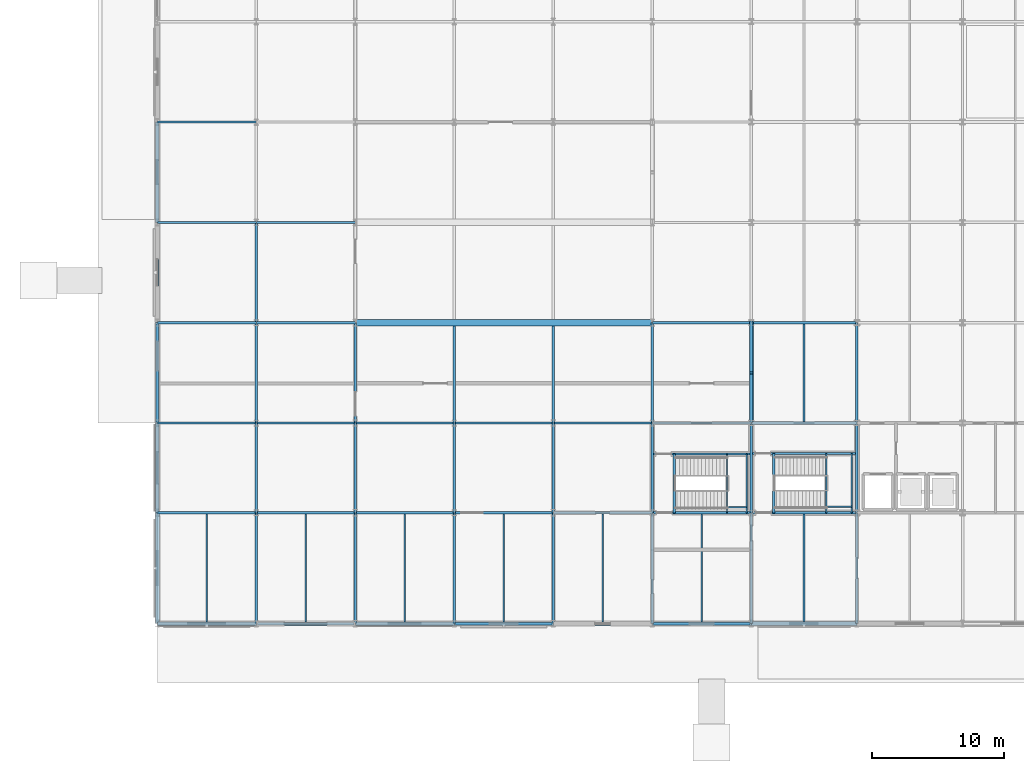
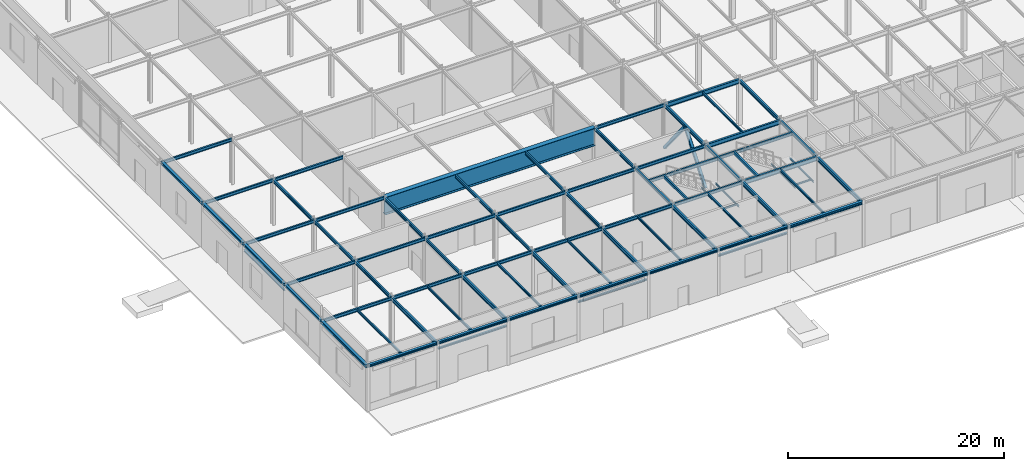
# One storey, part 21 of 89: 78 beams, 2 members.
"""IFC4 building model written with IfcOpenShell, lengths in metres."""

from ifc_helpers import new_model, si_unit, direction, frame, origin, origin_2d, place, context, subcontext, project, spatial, hollow_rectangle, i_section, extrude, material, material_profile, profile_set, type_object, element, save


model = new_model("IFC4")

# Units and contexts
model_context = context("Model", 3, precision=1e-05, world=origin(), true_north=direction((0.0, 1.0)))
body_context = subcontext(model_context, "Body", "Model", "MODEL_VIEW")
ifc_project = project(units=[si_unit("LENGTHUNIT", "METRE"), si_unit("AREAUNIT", "SQUARE_METRE"), si_unit("VOLUMEUNIT", "CUBIC_METRE"), si_unit("PLANEANGLEUNIT", "RADIAN"), si_unit("MASSUNIT", "GRAM", prefix="KILO")], contexts=[model_context])

# Site, building, storey
site_placement = place(None, origin())
site = spatial("IfcSite", under=ifc_project, at=site_placement, CompositionType="ELEMENT")
building_placement = place(site_placement, origin())
building = spatial("IfcBuilding", under=site, at=building_placement, Name="Shalkamar Park Central Library", CompositionType="ELEMENT")
storey_placement = place(building_placement, origin())
storey = spatial("IfcBuildingStorey", under=building, at=storey_placement, Name="L01", CompositionType="ELEMENT", Elevation=0.0)

# Beams
ifc_material = material(Name="Steel S355", Category="steel")
ifc_material_profile_1 = material_profile(ifc_material, i_section(OverallWidth=0.10009765625, OverallDepth=0.199951171875, WebThickness=0.005615234375, FlangeThickness=0.008544921875, FilletRadius=0.011962890625, at=origin_2d()), Name="IPE 200")
ifc_profile_set_1 = profile_set([ifc_material_profile_1], Name="Steel S355")
beam_type_1 = type_object("IfcBeamType", Name="Composite Floor Joist IPE200", PredefinedType="JOIST", material=ifc_profile_set_1)
for number, where, z_axis, x_axis, name in (
    (1, (170.679931640625, 248.39990234375, 2.320068359375), (0.0, 1.0, 0.0), (-1.0, 0.0, 0.0), "Stair Half-Landing Beam ST-T1-L01-1"),
    (2, (172.6201171875, 248.39990234375, 2.320068359375), (0.0, 1.0, 0.0), (-1.0, 0.0, 0.0), "Stair Half-Landing Beam ST-T1-L01-2"),
):
    element("IfcBeam", number, at=place(storey_placement, frame(where, z_axis=z_axis, x_axis=x_axis)), inside=storey, type_object=beam_type_1, Name=name, PredefinedType="JOIST", context=body_context, shape_type="SweptSolid", body=[
        extrude(i_section(OverallWidth=0.10009765625, OverallDepth=0.199951171875, WebThickness=0.005615234375, FlangeThickness=0.008544921875, FilletRadius=0.011962890625, at=origin_2d()), origin(), (0.0, 0.0, 1.0), 4.5),
    ])
beam_1_placement = place(storey_placement, frame((170.679931640625, 248.85009765625, 2.320068359375), z_axis=(1.0, 0.0, 0.0), x_axis=(0.0, 1.0, 0.0)))
element("IfcBeam", 3, at=beam_1_placement, inside=storey, type_object=beam_type_1, Name="Stair Half-Landing Cross Tie ST-T1-L01-3", PredefinedType="JOIST", context=body_context, shape_type="SweptSolid", body=[
    extrude(i_section(OverallWidth=0.10009765625, OverallDepth=0.199951171875, WebThickness=0.005615234375, FlangeThickness=0.008544921875, FilletRadius=0.011962890625, at=origin_2d()), origin(), (0.0, 0.0, 1.0), 1.940185546875),
])
for number, where, z_axis, x_axis, name in (
    (4, (163.155029296875, 248.39990234375, 2.320068359375), (0.0, 1.0, 0.0), (-1.0, 0.0, 0.0), "Stair Half-Landing Beam ST-P1-L01-1"),
    (5, (164.64501953125, 248.39990234375, 2.320068359375), (0.0, 1.0, 0.0), (-1.0, 0.0, 0.0), "Stair Half-Landing Beam ST-P1-L01-2"),
):
    element("IfcBeam", number, at=place(storey_placement, frame(where, z_axis=z_axis, x_axis=x_axis)), inside=storey, type_object=beam_type_1, Name=name, PredefinedType="JOIST", context=body_context, shape_type="SweptSolid", body=[
        extrude(i_section(OverallWidth=0.10009765625, OverallDepth=0.199951171875, WebThickness=0.005615234375, FlangeThickness=0.008544921875, FilletRadius=0.011962890625, at=origin_2d()), origin(), (0.0, 0.0, 1.0), 4.4501953125),
    ])
beam_2_placement = place(storey_placement, frame((163.155029296875, 248.824951171875, 2.320068359375), z_axis=(1.0, 0.0, 0.0), x_axis=(0.0, 1.0, 0.0)))
element("IfcBeam", 6, at=beam_2_placement, inside=storey, type_object=beam_type_1, Name="Stair Half-Landing Cross Tie ST-P1-L01-3", PredefinedType="JOIST", context=body_context, shape_type="SweptSolid", body=[
    extrude(i_section(OverallWidth=0.10009765625, OverallDepth=0.199951171875, WebThickness=0.005615234375, FlangeThickness=0.008544921875, FilletRadius=0.011962890625, at=origin_2d()), origin(), (0.0, 0.0, 1.0), 1.489990234375),
])
ifc_material_profile_2 = material_profile(ifc_material, i_section(OverallWidth=0.135009765625, OverallDepth=0.27001953125, WebThickness=0.006591796875, FlangeThickness=0.01025390625, FilletRadius=0.014892578125, at=origin_2d()), Name="IPE 270")
ifc_profile_set_2 = profile_set([ifc_material_profile_2], Name="Steel S355")
beam_type_2 = type_object("IfcBeamType", Name="Composite Floor Joist IPE270", PredefinedType="JOIST", material=ifc_profile_set_2)
for number, where, z_axis, x_axis, name in (
    (7, (123.75, 240.137939453125, 5.014892578125), (0.0, 1.0, 0.0), (-1.0, 0.0, 0.0), "Composite Joist 01/A-1 (L01)"),
    (8, (131.25, 240.137939453125, 5.014892578125), (0.0, 1.0, 0.0), (-1.0, 0.0, 0.0), "Composite Joist 02/A-1 (L01)"),
    (9, (138.75, 240.137939453125, 5.0048828125), (0.0, 1.0, 0.0), (-1.0, 0.0, 0.0), "Composite Joist 03/A-1 (L01)"),
    (10, (146.25, 240.137939453125, 5.0048828125), (0.0, 1.0, 0.0), (-1.0, 0.0, 0.0), "Composite Joist 04/A-1 (L01)"),
    (11, (153.75, 240.137939453125, 5.0048828125), (0.0, 1.0, 0.0), (-1.0, 0.0, 0.0), "Composite Joist 05/A-1 (L01)"),
    (12, (161.25, 240.137939453125, 5.0048828125), (0.0, 1.0, 0.0), (-1.0, 0.0, 0.0), "Composite Joist 06/A-1 (L01)"),
):
    element("IfcBeam", number, at=place(storey_placement, frame(where, z_axis=z_axis, x_axis=x_axis)), inside=storey, type_object=beam_type_2, Name=name, PredefinedType="JOIST", context=body_context, shape_type="SweptSolid", body=[
        extrude(i_section(OverallWidth=0.135009765625, OverallDepth=0.27001953125, WebThickness=0.006591796875, FlangeThickness=0.01025390625, FilletRadius=0.014892578125, at=origin_2d()), origin(), (0.0, 0.0, 1.0), 8.178955078125),
    ])
beam_3_placement = place(storey_placement, frame((169.0, 240.14794921875, 5.0048828125), z_axis=(0.0, 1.0, 0.0), x_axis=(-1.0, 0.0, 0.0)))
element("IfcBeam", 13, at=beam_3_placement, inside=storey, type_object=beam_type_2, Name="Composite Joist 07/A-1 (L01)", PredefinedType="JOIST", context=body_context, shape_type="SweptSolid", body=[
    extrude(i_section(OverallWidth=0.135009765625, OverallDepth=0.27001953125, WebThickness=0.006591796875, FlangeThickness=0.01025390625, FilletRadius=0.014892578125, at=origin_2d()), origin(), (0.0, 0.0, 1.0), 8.154052734375),
])
beam_4_placement = place(storey_placement, frame((169.0, 255.298095703125, 5.0048828125), z_axis=(0.0, 1.0, 0.0), x_axis=(-1.0, 0.0, 0.0)))
element("IfcBeam", 14, at=beam_4_placement, inside=storey, type_object=beam_type_2, Name="Composite Joist 07/C-1 (L01)", PredefinedType="JOIST", context=body_context, shape_type="SweptSolid", body=[
    extrude(i_section(OverallWidth=0.135009765625, OverallDepth=0.27001953125, WebThickness=0.006591796875, FlangeThickness=0.01025390625, FilletRadius=0.014892578125, at=origin_2d()), origin(), (0.0, 0.0, 1.0), 7.40380859375),
])

# Members
ifc_material_profile_3 = material_profile(ifc_material, hollow_rectangle(XDim=0.300048828125, YDim=0.300048828125, WallThickness=0.01611328125, InnerFilletRadius=0.01611328125, OuterFilletRadius=0.02392578125, at=origin_2d()), Name="SHS 300x300x16")
ifc_profile_set_3 = profile_set([ifc_material_profile_3], Name="Steel S355")
member_type = type_object("IfcMemberType", Name="Diagonal Brace SHS300", PredefinedType="BRACE", material=ifc_profile_set_3)
for number, where, z_axis, x_axis, name in (
    (15, (165.0, 255.199951171875, 0.14990234375), (0.0, 0.62952162091, 0.776982965583), (-1.0, 0.0, 0.0), "Chevron Brace TW-W Leg A (L01)"),
    (16, (165.0, 262.800048828125, 0.14990234375), (0.0, -0.62952162091, 0.776982965583), (1.0, 0.0, 0.0), "Chevron Brace TW-W Leg B (L01)"),
):
    element("IfcMember", number, at=place(storey_placement, frame(where, z_axis=z_axis, x_axis=x_axis)), inside=storey, type_object=member_type, Name=name, PredefinedType="BRACE", context=body_context, shape_type="SweptSolid", body=[
        extrude(hollow_rectangle(XDim=0.300048828125, YDim=0.300048828125, WallThickness=0.01611328125, InnerFilletRadius=0.01611328125, OuterFilletRadius=0.02392578125, at=origin_2d()), origin(), (0.0, 0.0, 1.0), 6.036376953125),
    ])

# Beams
ifc_material_profile_4 = material_profile(ifc_material, i_section(OverallWidth=0.179931640625, OverallDepth=0.1708984375, WebThickness=0.006103515625, FlangeThickness=0.009521484375, FilletRadius=0.014892578125, at=origin_2d()), Name="HEA 180")
ifc_profile_set_4 = profile_set([ifc_material_profile_4], Name="Steel S355")
beam_type_3 = type_object("IfcBeamType", Name="Opening Lintel Beam HEA180", PredefinedType="LINTEL", material=ifc_profile_set_4)
beam_5_placement = place(storey_placement, frame((142.580078125, 240.0, 4.35009765625), z_axis=(1.0, 0.0, 0.0), x_axis=(0.0, 1.0, 0.0)))
element("IfcBeam", 17, at=beam_5_placement, inside=storey, type_object=beam_type_3, Name="Opening Lintel L01-02", PredefinedType="LINTEL", context=body_context, shape_type="SweptSolid", body=[
    extrude(i_section(OverallWidth=0.179931640625, OverallDepth=0.1708984375, WebThickness=0.006103515625, FlangeThickness=0.009521484375, FilletRadius=0.014892578125, at=origin_2d()), origin(), (0.0, 0.0, 1.0), 7.33984375),
])
beam_6_placement = place(storey_placement, frame((120.0, 255.280029296875, 4.35009765625), z_axis=(0.0, 1.0, 0.0), x_axis=(-1.0, 0.0, 0.0)))
element("IfcBeam", 18, at=beam_6_placement, inside=storey, type_object=beam_type_3, Name="Opening Lintel L01-18", PredefinedType="LINTEL", context=body_context, shape_type="SweptSolid", body=[
    extrude(i_section(OverallWidth=0.179931640625, OverallDepth=0.1708984375, WebThickness=0.006103515625, FlangeThickness=0.009521484375, FilletRadius=0.014892578125, at=origin_2d()), origin(), (0.0, 0.0, 1.0), 7.43994140625),
])
ifc_material_profile_5 = material_profile(ifc_material, i_section(OverallWidth=0.199951171875, OverallDepth=0.18994140625, WebThickness=0.006591796875, FlangeThickness=0.010009765625, FilletRadius=0.01806640625, at=origin_2d()), Name="HEA 200")
ifc_profile_set_5 = profile_set([ifc_material_profile_5], Name="Steel S355")
beam_type_4 = type_object("IfcBeamType", Name="Opening Lintel Beam HEA200", PredefinedType="LINTEL", material=ifc_profile_set_5)
for number, where, z_axis, x_axis, name in (
    (19, (127.580078125, 240.0, 4.35009765625), (1.0, 0.0, 0.0), (0.0, 1.0, 0.0), "Opening Lintel L01-01"),
    (20, (157.580078125, 240.0, 4.35009765625), (1.0, 0.0, 0.0), (0.0, 1.0, 0.0), "Opening Lintel L01-03"),
):
    element("IfcBeam", number, at=place(storey_placement, frame(where, z_axis=z_axis, x_axis=x_axis)), inside=storey, type_object=beam_type_4, Name=name, PredefinedType="LINTEL", context=body_context, shape_type="SweptSolid", body=[
        extrude(i_section(OverallWidth=0.199951171875, OverallDepth=0.18994140625, WebThickness=0.006591796875, FlangeThickness=0.010009765625, FilletRadius=0.01806640625, at=origin_2d()), origin(), (0.0, 0.0, 1.0), 7.33984375),
    ])
ifc_material_profile_6 = material_profile(ifc_material, i_section(OverallWidth=0.239990234375, OverallDepth=0.22998046875, WebThickness=0.007568359375, FlangeThickness=0.011962890625, FilletRadius=0.02099609375, at=origin_2d()), Name="HEA 240")
ifc_profile_set_6 = profile_set([ifc_material_profile_6], Name="Steel S355")
beam_type_5 = type_object("IfcBeamType", Name="Perimeter Spandrel Beam HEA240", PredefinedType="SPANDREL", material=ifc_profile_set_6)
beam_7_placement = place(storey_placement, frame((120.0, 248.39990234375, 5.034912109375), z_axis=(0.0, 1.0, 0.0), x_axis=(-1.0, 0.0, 0.0)))
element("IfcBeam", 21, at=beam_7_placement, inside=storey, type_object=beam_type_5, Name="Beam 01:B-C (L01)", PredefinedType="SPANDREL", context=body_context, shape_type="SweptSolid", body=[
    extrude(i_section(OverallWidth=0.239990234375, OverallDepth=0.22998046875, WebThickness=0.007568359375, FlangeThickness=0.011962890625, FilletRadius=0.02099609375, at=origin_2d()), origin(), (0.0, 0.0, 1.0), 6.800048828125),
])
ifc_material_profile_7 = material_profile(ifc_material, i_section(OverallWidth=0.280029296875, OverallDepth=0.27001953125, WebThickness=0.008056640625, FlangeThickness=0.012939453125, FilletRadius=0.02392578125, at=origin_2d()), Name="HEA 280")
ifc_profile_set_7 = profile_set([ifc_material_profile_7], Name="Steel S355")
beam_type_6 = type_object("IfcBeamType", Name="Perimeter Spandrel Beam HEA280", PredefinedType="SPANDREL", material=ifc_profile_set_7)
for number, where, z_axis, x_axis, name in (
    (22, (120.0, 240.0, 5.014892578125), (1.0, 0.0, 0.0), (0.0, 1.0, 0.0), "Beam A:01-02 (L01)"),
    (23, (127.5, 240.0, 5.014892578125), (1.0, 0.0, 0.0), (0.0, 1.0, 0.0), "Beam A:02-03 (L01)"),
    (24, (135.0, 240.0, 5.014892578125), (1.0, 0.0, 0.0), (0.0, 1.0, 0.0), "Beam A:03-04 (L01)"),
    (25, (142.5, 240.0, 5.014892578125), (1.0, 0.0, 0.0), (0.0, 1.0, 0.0), "Beam A:04-05 (L01)"),
    (26, (150.0, 240.0, 5.014892578125), (1.0, 0.0, 0.0), (0.0, 1.0, 0.0), "Beam A:05-06 (L01)"),
    (27, (157.5, 240.0, 5.014892578125), (1.0, 0.0, 0.0), (0.0, 1.0, 0.0), "Beam A:06-07 (L01)"),
):
    element("IfcBeam", number, at=place(storey_placement, frame(where, z_axis=z_axis, x_axis=x_axis)), inside=storey, type_object=beam_type_6, Name=name, PredefinedType="SPANDREL", context=body_context, shape_type="SweptSolid", body=[
        extrude(i_section(OverallWidth=0.280029296875, OverallDepth=0.27001953125, WebThickness=0.008056640625, FlangeThickness=0.012939453125, FilletRadius=0.02392578125, at=origin_2d()), origin(), (0.0, 0.0, 1.0), 7.5),
    ])
beam_8_placement = place(storey_placement, frame((120.0, 255.199951171875, 5.014892578125), z_axis=(0.0, 1.0, 0.0), x_axis=(-1.0, 0.0, 0.0)))
element("IfcBeam", 28, at=beam_8_placement, inside=storey, type_object=beam_type_6, Name="Beam 01:C-D (L01)", PredefinedType="SPANDREL", context=body_context, shape_type="SweptSolid", body=[
    extrude(i_section(OverallWidth=0.280029296875, OverallDepth=0.27001953125, WebThickness=0.008056640625, FlangeThickness=0.012939453125, FilletRadius=0.02392578125, at=origin_2d()), origin(), (0.0, 0.0, 1.0), 7.60009765625),
])
beam_9_placement = place(storey_placement, frame((120.0, 262.800048828125, 5.014892578125), z_axis=(0.0, 1.0, 0.0), x_axis=(-1.0, 0.0, 0.0)))
element("IfcBeam", 29, at=beam_9_placement, inside=storey, type_object=beam_type_6, Name="Beam 01:D-E (L01)", PredefinedType="SPANDREL", context=body_context, shape_type="SweptSolid", body=[
    extrude(i_section(OverallWidth=0.280029296875, OverallDepth=0.27001953125, WebThickness=0.008056640625, FlangeThickness=0.012939453125, FilletRadius=0.02392578125, at=origin_2d()), origin(), (0.0, 0.0, 1.0), 7.599853515625),
])
beam_10_placement = place(storey_placement, frame((120.0, 270.39990234375, 5.014892578125), z_axis=(0.0, 1.0, 0.0), x_axis=(-1.0, 0.0, 0.0)))
element("IfcBeam", 30, at=beam_10_placement, inside=storey, type_object=beam_type_6, Name="Beam 01:E-F (L01)", PredefinedType="SPANDREL", context=body_context, shape_type="SweptSolid", body=[
    extrude(i_section(OverallWidth=0.280029296875, OverallDepth=0.27001953125, WebThickness=0.008056640625, FlangeThickness=0.012939453125, FilletRadius=0.02392578125, at=origin_2d()), origin(), (0.0, 0.0, 1.0), 7.60009765625),
])
ifc_material_profile_8 = material_profile(ifc_material, i_section(OverallWidth=0.300048828125, OverallDepth=0.31005859375, WebThickness=0.009033203125, FlangeThickness=0.015380859375, FilletRadius=0.027099609375, at=origin_2d()), Name="HEA 320")
ifc_profile_set_8 = profile_set([ifc_material_profile_8], Name="Steel S355")
beam_type_7 = type_object("IfcBeamType", Name="Perimeter Spandrel Beam HEA320", PredefinedType="SPANDREL", material=ifc_profile_set_8)
beam_11_placement = place(storey_placement, frame((165.0, 240.0, 4.9951171875), z_axis=(1.0, 0.0, 0.0), x_axis=(0.0, 1.0, 0.0)))
element("IfcBeam", 31, at=beam_11_placement, inside=storey, type_object=beam_type_7, Name="Beam A:07-08 (L01)", PredefinedType="SPANDREL", context=body_context, shape_type="SweptSolid", body=[
    extrude(i_section(OverallWidth=0.300048828125, OverallDepth=0.31005859375, WebThickness=0.009033203125, FlangeThickness=0.015380859375, FilletRadius=0.027099609375, at=origin_2d()), origin(), (0.0, 0.0, 1.0), 8.0),
])
beam_12_placement = place(storey_placement, frame((120.0, 240.0, 4.9951171875), z_axis=(0.0, 1.0, 0.0), x_axis=(-1.0, 0.0, 0.0)))
element("IfcBeam", 32, at=beam_12_placement, inside=storey, type_object=beam_type_7, Name="Beam 01:A-B (L01)", PredefinedType="SPANDREL", context=body_context, shape_type="SweptSolid", body=[
    extrude(i_section(OverallWidth=0.300048828125, OverallDepth=0.31005859375, WebThickness=0.009033203125, FlangeThickness=0.015380859375, FilletRadius=0.027099609375, at=origin_2d()), origin(), (0.0, 0.0, 1.0), 8.39990234375),
])
ifc_material_profile_9 = material_profile(ifc_material, i_section(OverallWidth=0.169921875, OverallDepth=0.360107421875, WebThickness=0.008056640625, FlangeThickness=0.0126953125, FilletRadius=0.01806640625, at=origin_2d()), Name="IPE 360")
ifc_profile_set_9 = profile_set([ifc_material_profile_9], Name="Steel S355")
beam_type_8 = type_object("IfcBeamType", Name="Primary Girder IPE360", PredefinedType="BEAM", material=ifc_profile_set_9)
for number, where, z_axis, x_axis, name in (
    (33, (120.0, 248.39990234375, 4.969970703125), (1.0, 0.0, 0.0), (0.0, 1.0, 0.0), "Beam B:01-02 (L01)"),
    (34, (127.5, 248.39990234375, 4.9599609375), (1.0, 0.0, 0.0), (0.0, 1.0, 0.0), "Beam B:02-03 (L01)"),
    (35, (135.0, 248.39990234375, 4.9599609375), (1.0, 0.0, 0.0), (0.0, 1.0, 0.0), "Beam B:03-04 (L01)"),
    (36, (142.5, 248.39990234375, 4.9599609375), (1.0, 0.0, 0.0), (0.0, 1.0, 0.0), "Beam B:04-05 (L01)"),
    (37, (150.0, 248.39990234375, 4.9599609375), (1.0, 0.0, 0.0), (0.0, 1.0, 0.0), "Beam B:05-06 (L01)"),
    (38, (157.5, 248.39990234375, 4.9599609375), (1.0, 0.0, 0.0), (0.0, 1.0, 0.0), "Beam B:06-07 (L01)"),
    (39, (120.0, 255.199951171875, 4.969970703125), (1.0, 0.0, 0.0), (0.0, 1.0, 0.0), "Beam C:01-02 (L01)"),
    (40, (127.5, 255.199951171875, 4.9599609375), (1.0, 0.0, 0.0), (0.0, 1.0, 0.0), "Beam C:02-03 (L01)"),
    (41, (135.0, 255.199951171875, 4.9599609375), (1.0, 0.0, 0.0), (0.0, 1.0, 0.0), "Beam C:03-04 (L01)"),
    (42, (142.5, 255.199951171875, 4.9599609375), (1.0, 0.0, 0.0), (0.0, 1.0, 0.0), "Beam C:04-05 (L01)"),
    (43, (150.0, 255.199951171875, 4.9599609375), (1.0, 0.0, 0.0), (0.0, 1.0, 0.0), "Beam C:05-06 (L01)"),
    (44, (157.5, 255.199951171875, 4.9599609375), (1.0, 0.0, 0.0), (0.0, 1.0, 0.0), "Beam C:06-07 (L01)"),
    (45, (120.0, 262.800048828125, 4.969970703125), (1.0, 0.0, 0.0), (0.0, 1.0, 0.0), "Beam D:01-02 (L01)"),
    (46, (127.5, 262.800048828125, 4.9599609375), (1.0, 0.0, 0.0), (0.0, 1.0, 0.0), "Beam D:02-03 (L01)"),
    (47, (157.5, 262.800048828125, 4.9599609375), (1.0, 0.0, 0.0), (0.0, 1.0, 0.0), "Beam D:06-07 (L01)"),
    (48, (120.0, 270.39990234375, 4.969970703125), (1.0, 0.0, 0.0), (0.0, 1.0, 0.0), "Beam E:01-02 (L01)"),
    (49, (127.5, 270.39990234375, 4.9599609375), (1.0, 0.0, 0.0), (0.0, 1.0, 0.0), "Beam E:02-03 (L01)"),
    (50, (120.0, 278.0, 4.969970703125), (1.0, 0.0, 0.0), (0.0, 1.0, 0.0), "Beam F:01-02 (L01)"),
):
    element("IfcBeam", number, at=place(storey_placement, frame(where, z_axis=z_axis, x_axis=x_axis)), inside=storey, type_object=beam_type_8, Name=name, PredefinedType="BEAM", context=body_context, shape_type="SweptSolid", body=[
        extrude(i_section(OverallWidth=0.169921875, OverallDepth=0.360107421875, WebThickness=0.008056640625, FlangeThickness=0.0126953125, FilletRadius=0.01806640625, at=origin_2d()), origin(), (0.0, 0.0, 1.0), 7.5),
    ])
beam_13_placement = place(storey_placement, frame((127.5, 248.39990234375, 4.969970703125), z_axis=(0.0, 1.0, 0.0), x_axis=(-1.0, 0.0, 0.0)))
element("IfcBeam", 51, at=beam_13_placement, inside=storey, type_object=beam_type_8, Name="Beam 02:B-C (L01)", PredefinedType="BEAM", context=body_context, shape_type="SweptSolid", body=[
    extrude(i_section(OverallWidth=0.169921875, OverallDepth=0.360107421875, WebThickness=0.008056640625, FlangeThickness=0.0126953125, FilletRadius=0.01806640625, at=origin_2d()), origin(), (0.0, 0.0, 1.0), 6.800048828125),
])
beam_14_placement = place(storey_placement, frame((127.5, 255.199951171875, 4.969970703125), z_axis=(0.0, 1.0, 0.0), x_axis=(-1.0, 0.0, 0.0)))
element("IfcBeam", 52, at=beam_14_placement, inside=storey, type_object=beam_type_8, Name="Beam 02:C-D (L01)", PredefinedType="BEAM", context=body_context, shape_type="SweptSolid", body=[
    extrude(i_section(OverallWidth=0.169921875, OverallDepth=0.360107421875, WebThickness=0.008056640625, FlangeThickness=0.0126953125, FilletRadius=0.01806640625, at=origin_2d()), origin(), (0.0, 0.0, 1.0), 7.60009765625),
])
beam_15_placement = place(storey_placement, frame((127.5, 262.800048828125, 4.969970703125), z_axis=(0.0, 1.0, 0.0), x_axis=(-1.0, 0.0, 0.0)))
element("IfcBeam", 53, at=beam_15_placement, inside=storey, type_object=beam_type_8, Name="Beam 02:D-E (L01)", PredefinedType="BEAM", context=body_context, shape_type="SweptSolid", body=[
    extrude(i_section(OverallWidth=0.169921875, OverallDepth=0.360107421875, WebThickness=0.008056640625, FlangeThickness=0.0126953125, FilletRadius=0.01806640625, at=origin_2d()), origin(), (0.0, 0.0, 1.0), 7.599853515625),
])
beam_16_placement = place(storey_placement, frame((135.0, 248.39990234375, 4.9599609375), z_axis=(0.0, 1.0, 0.0), x_axis=(-1.0, 0.0, 0.0)))
element("IfcBeam", 54, at=beam_16_placement, inside=storey, type_object=beam_type_8, Name="Beam 03:B-C (L01)", PredefinedType="BEAM", context=body_context, shape_type="SweptSolid", body=[
    extrude(i_section(OverallWidth=0.169921875, OverallDepth=0.360107421875, WebThickness=0.008056640625, FlangeThickness=0.0126953125, FilletRadius=0.01806640625, at=origin_2d()), origin(), (0.0, 0.0, 1.0), 6.800048828125),
])
beam_17_placement = place(storey_placement, frame((135.0, 255.199951171875, 4.9599609375), z_axis=(0.0, 1.0, 0.0), x_axis=(-1.0, 0.0, 0.0)))
element("IfcBeam", 55, at=beam_17_placement, inside=storey, type_object=beam_type_8, Name="Beam 03:C-D (L01)", PredefinedType="BEAM", context=body_context, shape_type="SweptSolid", body=[
    extrude(i_section(OverallWidth=0.169921875, OverallDepth=0.360107421875, WebThickness=0.008056640625, FlangeThickness=0.0126953125, FilletRadius=0.01806640625, at=origin_2d()), origin(), (0.0, 0.0, 1.0), 7.60009765625),
])
beam_18_placement = place(storey_placement, frame((142.5, 248.39990234375, 4.9599609375), z_axis=(0.0, 1.0, 0.0), x_axis=(-1.0, 0.0, 0.0)))
element("IfcBeam", 56, at=beam_18_placement, inside=storey, type_object=beam_type_8, Name="Beam 04:B-C (L01)", PredefinedType="BEAM", context=body_context, shape_type="SweptSolid", body=[
    extrude(i_section(OverallWidth=0.169921875, OverallDepth=0.360107421875, WebThickness=0.008056640625, FlangeThickness=0.0126953125, FilletRadius=0.01806640625, at=origin_2d()), origin(), (0.0, 0.0, 1.0), 6.800048828125),
])
beam_19_placement = place(storey_placement, frame((142.5, 255.199951171875, 4.9599609375), z_axis=(0.0, 1.0, 0.0), x_axis=(-1.0, 0.0, 0.0)))
element("IfcBeam", 57, at=beam_19_placement, inside=storey, type_object=beam_type_8, Name="Beam 04:C-D (L01)", PredefinedType="BEAM", context=body_context, shape_type="SweptSolid", body=[
    extrude(i_section(OverallWidth=0.169921875, OverallDepth=0.360107421875, WebThickness=0.008056640625, FlangeThickness=0.0126953125, FilletRadius=0.01806640625, at=origin_2d()), origin(), (0.0, 0.0, 1.0), 7.35205078125),
])
beam_20_placement = place(storey_placement, frame((150.0, 248.39990234375, 4.9599609375), z_axis=(0.0, 1.0, 0.0), x_axis=(-1.0, 0.0, 0.0)))
element("IfcBeam", 58, at=beam_20_placement, inside=storey, type_object=beam_type_8, Name="Beam 05:B-C (L01)", PredefinedType="BEAM", context=body_context, shape_type="SweptSolid", body=[
    extrude(i_section(OverallWidth=0.169921875, OverallDepth=0.360107421875, WebThickness=0.008056640625, FlangeThickness=0.0126953125, FilletRadius=0.01806640625, at=origin_2d()), origin(), (0.0, 0.0, 1.0), 6.800048828125),
])
beam_21_placement = place(storey_placement, frame((150.0, 255.199951171875, 4.9599609375), z_axis=(0.0, 1.0, 0.0), x_axis=(-1.0, 0.0, 0.0)))
element("IfcBeam", 59, at=beam_21_placement, inside=storey, type_object=beam_type_8, Name="Beam 05:C-D (L01)", PredefinedType="BEAM", context=body_context, shape_type="SweptSolid", body=[
    extrude(i_section(OverallWidth=0.169921875, OverallDepth=0.360107421875, WebThickness=0.008056640625, FlangeThickness=0.0126953125, FilletRadius=0.01806640625, at=origin_2d()), origin(), (0.0, 0.0, 1.0), 7.35205078125),
])
beam_22_placement = place(storey_placement, frame((157.5, 248.39990234375, 4.9599609375), z_axis=(0.0, 1.0, 0.0), x_axis=(-1.0, 0.0, 0.0)))
element("IfcBeam", 60, at=beam_22_placement, inside=storey, type_object=beam_type_8, Name="Beam 06:B-C (L01)", PredefinedType="BEAM", context=body_context, shape_type="SweptSolid", body=[
    extrude(i_section(OverallWidth=0.169921875, OverallDepth=0.360107421875, WebThickness=0.008056640625, FlangeThickness=0.0126953125, FilletRadius=0.01806640625, at=origin_2d()), origin(), (0.0, 0.0, 1.0), 6.800048828125),
])
beam_23_placement = place(storey_placement, frame((157.5, 255.199951171875, 4.9599609375), z_axis=(0.0, 1.0, 0.0), x_axis=(-1.0, 0.0, 0.0)))
element("IfcBeam", 61, at=beam_23_placement, inside=storey, type_object=beam_type_8, Name="Beam 06:C-D (L01)", PredefinedType="BEAM", context=body_context, shape_type="SweptSolid", body=[
    extrude(i_section(OverallWidth=0.169921875, OverallDepth=0.360107421875, WebThickness=0.008056640625, FlangeThickness=0.0126953125, FilletRadius=0.01806640625, at=origin_2d()), origin(), (0.0, 0.0, 1.0), 7.60009765625),
])
beam_24_placement = place(storey_placement, frame((165.087890625, 252.89990234375, 4.9599609375), z_axis=(1.0, 0.0, 0.0), x_axis=(0.0, 1.0, 0.0)))
element("IfcBeam", 62, at=beam_24_placement, inside=storey, type_object=beam_type_8, Name="CORE-T1 Stairwell Divider Beam (L01)", PredefinedType="BEAM", context=body_context, shape_type="SweptSolid", body=[
    extrude(i_section(OverallWidth=0.169921875, OverallDepth=0.360107421875, WebThickness=0.008056640625, FlangeThickness=0.0126953125, FilletRadius=0.01806640625, at=origin_2d()), origin(), (0.0, 0.0, 1.0), 7.82421875),
])
beam_25_placement = place(storey_placement, frame((157.587890625, 252.85009765625, 4.9599609375), z_axis=(1.0, 0.0, 0.0), x_axis=(0.0, 1.0, 0.0)))
element("IfcBeam", 63, at=beam_25_placement, inside=storey, type_object=beam_type_8, Name="CORE-P1 Stairwell Divider Beam (L01)", PredefinedType="BEAM", context=body_context, shape_type="SweptSolid", body=[
    extrude(i_section(OverallWidth=0.169921875, OverallDepth=0.360107421875, WebThickness=0.008056640625, FlangeThickness=0.0126953125, FilletRadius=0.01806640625, at=origin_2d()), origin(), (0.0, 0.0, 1.0), 7.32421875),
])
ifc_material_profile_10 = material_profile(ifc_material, i_section(OverallWidth=0.179931640625, OverallDepth=0.39990234375, WebThickness=0.008544921875, FlangeThickness=0.013427734375, FilletRadius=0.02099609375, at=origin_2d()), Name="IPE 400")
ifc_profile_set_10 = profile_set([ifc_material_profile_10], Name="Steel S355")
beam_type_9 = type_object("IfcBeamType", Name="Primary Girder IPE400", PredefinedType="BEAM", material=ifc_profile_set_10)
beam_26_placement = place(storey_placement, frame((165.0, 248.39990234375, 4.93994140625), z_axis=(0.0, 1.0, 0.0), x_axis=(-1.0, 0.0, 0.0)))
element("IfcBeam", 64, at=beam_26_placement, inside=storey, type_object=beam_type_9, Name="Beam 07:B-C (L01)", PredefinedType="BEAM", context=body_context, shape_type="SweptSolid", body=[
    extrude(i_section(OverallWidth=0.179931640625, OverallDepth=0.39990234375, WebThickness=0.008544921875, FlangeThickness=0.013427734375, FilletRadius=0.02099609375, at=origin_2d()), origin(), (0.0, 0.0, 1.0), 6.800048828125),
])
beam_27_placement = place(storey_placement, frame((165.0, 255.199951171875, 4.93994140625), z_axis=(0.0, 1.0, 0.0), x_axis=(-1.0, 0.0, 0.0)))
element("IfcBeam", 65, at=beam_27_placement, inside=storey, type_object=beam_type_9, Name="Beam 07:C-D (L01)", PredefinedType="BEAM", context=body_context, shape_type="SweptSolid", body=[
    extrude(i_section(OverallWidth=0.179931640625, OverallDepth=0.39990234375, WebThickness=0.008544921875, FlangeThickness=0.013427734375, FilletRadius=0.02099609375, at=origin_2d()), origin(), (0.0, 0.0, 1.0), 7.60009765625),
])
beam_28_placement = place(storey_placement, frame((173.0, 248.39990234375, 4.93994140625), z_axis=(0.0, 1.0, 0.0), x_axis=(-1.0, 0.0, 0.0)))
element("IfcBeam", 66, at=beam_28_placement, inside=storey, type_object=beam_type_9, Name="Beam 08:B-C (L01)", PredefinedType="BEAM", context=body_context, shape_type="SweptSolid", body=[
    extrude(i_section(OverallWidth=0.179931640625, OverallDepth=0.39990234375, WebThickness=0.008544921875, FlangeThickness=0.013427734375, FilletRadius=0.02099609375, at=origin_2d()), origin(), (0.0, 0.0, 1.0), 6.800048828125),
])
beam_29_placement = place(storey_placement, frame((173.0, 255.199951171875, 4.93994140625), z_axis=(0.0, 1.0, 0.0), x_axis=(-1.0, 0.0, 0.0)))
element("IfcBeam", 67, at=beam_29_placement, inside=storey, type_object=beam_type_9, Name="Beam 08:C-D (L01)", PredefinedType="BEAM", context=body_context, shape_type="SweptSolid", body=[
    extrude(i_section(OverallWidth=0.179931640625, OverallDepth=0.39990234375, WebThickness=0.008544921875, FlangeThickness=0.013427734375, FilletRadius=0.02099609375, at=origin_2d()), origin(), (0.0, 0.0, 1.0), 7.60009765625),
])
ifc_material_profile_11 = material_profile(ifc_material, i_section(OverallWidth=0.18994140625, OverallDepth=0.449951171875, WebThickness=0.009521484375, FlangeThickness=0.0146484375, FilletRadius=0.02099609375, at=origin_2d()), Name="IPE 450")
ifc_profile_set_11 = profile_set([ifc_material_profile_11], Name="Steel S355")
beam_type_10 = type_object("IfcBeamType", Name="Primary Girder IPE450", PredefinedType="BEAM", material=ifc_profile_set_11)
for number, where, z_axis, x_axis, name in (
    (68, (127.5, 240.0, 4.925048828125), (0.0, 1.0, 0.0), (-1.0, 0.0, 0.0), "Beam 02:A-B (L01)"),
    (69, (135.0, 240.0, 4.9150390625), (0.0, 1.0, 0.0), (-1.0, 0.0, 0.0), "Beam 03:A-B (L01)"),
    (70, (142.5, 240.0, 4.9150390625), (0.0, 1.0, 0.0), (-1.0, 0.0, 0.0), "Beam 04:A-B (L01)"),
    (71, (150.0, 240.0, 4.9150390625), (0.0, 1.0, 0.0), (-1.0, 0.0, 0.0), "Beam 05:A-B (L01)"),
    (72, (157.5, 240.0, 4.9150390625), (0.0, 1.0, 0.0), (-1.0, 0.0, 0.0), "Beam 06:A-B (L01)"),
    (73, (165.0, 240.0, 4.9150390625), (0.0, 1.0, 0.0), (-1.0, 0.0, 0.0), "Beam 07:A-B (L01)"),
    (74, (173.0, 240.0, 4.9150390625), (0.0, 1.0, 0.0), (-1.0, 0.0, 0.0), "Beam 08:A-B (L01)"),
):
    element("IfcBeam", number, at=place(storey_placement, frame(where, z_axis=z_axis, x_axis=x_axis)), inside=storey, type_object=beam_type_10, Name=name, PredefinedType="BEAM", context=body_context, shape_type="SweptSolid", body=[
        extrude(i_section(OverallWidth=0.18994140625, OverallDepth=0.449951171875, WebThickness=0.009521484375, FlangeThickness=0.0146484375, FilletRadius=0.02099609375, at=origin_2d()), origin(), (0.0, 0.0, 1.0), 8.39990234375),
    ])
ifc_material_profile_12 = material_profile(ifc_material, i_section(OverallWidth=0.199951171875, OverallDepth=0.5, WebThickness=0.01025390625, FlangeThickness=0.01611328125, FilletRadius=0.02099609375, at=origin_2d()), Name="IPE 500")
ifc_profile_set_12 = profile_set([ifc_material_profile_12], Name="Steel S355")
beam_type_11 = type_object("IfcBeamType", Name="Primary Girder IPE500", PredefinedType="BEAM", material=ifc_profile_set_12)
for number, where, z_axis, x_axis, name in (
    (75, (165.0, 248.39990234375, 4.889892578125), (1.0, 0.0, 0.0), (0.0, 1.0, 0.0), "Beam B:07-08 (L01)"),
    (76, (165.0, 255.199951171875, 4.889892578125), (1.0, 0.0, 0.0), (0.0, 1.0, 0.0), "Beam C:07-08 (L01)"),
    (77, (165.0, 262.800048828125, 4.889892578125), (1.0, 0.0, 0.0), (0.0, 1.0, 0.0), "Beam D:07-08 (L01)"),
):
    element("IfcBeam", number, at=place(storey_placement, frame(where, z_axis=z_axis, x_axis=x_axis)), inside=storey, type_object=beam_type_11, Name=name, PredefinedType="BEAM", context=body_context, shape_type="SweptSolid", body=[
        extrude(i_section(OverallWidth=0.199951171875, OverallDepth=0.5, WebThickness=0.01025390625, FlangeThickness=0.01611328125, FilletRadius=0.02099609375, at=origin_2d()), origin(), (0.0, 0.0, 1.0), 8.0),
    ])
ifc_material_profile_13 = material_profile(ifc_material, hollow_rectangle(XDim=0.199951171875, YDim=0.300048828125, WallThickness=0.011962890625, InnerFilletRadius=0.011962890625, OuterFilletRadius=0.01806640625, at=origin_2d()), Name="RHS 300x200x12")
ifc_profile_set_13 = profile_set([ifc_material_profile_13], Name="Steel S355")
beam_type_12 = type_object("IfcBeamType", Name="Stair Trimmer Box RHS300x200", PredefinedType="BEAM", material=ifc_profile_set_13)
beam_30_placement = place(storey_placement, frame((166.699951171875, 248.39990234375, 4.989990234375), z_axis=(0.0, 1.0, 0.0), x_axis=(-1.0, 0.0, 0.0)))
element("IfcBeam", 78, at=beam_30_placement, inside=storey, type_object=beam_type_12, Name="Stair Arrival Trimmer Girder ST-T1-L01", PredefinedType="BEAM", context=body_context, shape_type="SweptSolid", body=[
    extrude(hollow_rectangle(XDim=0.199951171875, YDim=0.300048828125, WallThickness=0.011962890625, InnerFilletRadius=0.011962890625, OuterFilletRadius=0.01806640625, at=origin_2d()), origin(), (0.0, 0.0, 1.0), 4.5),
])
beam_31_placement = place(storey_placement, frame((159.175048828125, 248.39990234375, 4.989990234375), z_axis=(0.0, 1.0, 0.0), x_axis=(-1.0, 0.0, 0.0)))
element("IfcBeam", 79, at=beam_31_placement, inside=storey, type_object=beam_type_12, Name="Stair Arrival Trimmer Girder ST-P1-L01", PredefinedType="BEAM", context=body_context, shape_type="SweptSolid", body=[
    extrude(hollow_rectangle(XDim=0.199951171875, YDim=0.300048828125, WallThickness=0.011962890625, InnerFilletRadius=0.011962890625, OuterFilletRadius=0.01806640625, at=origin_2d()), origin(), (0.0, 0.0, 1.0), 4.4501953125),
])
ifc_material_profile_14 = material_profile(ifc_material, i_section(OverallWidth=0.5, OverallDepth=2.0, WebThickness=0.02392578125, FlangeThickness=0.0400390625, FilletRadius=0.02392578125, at=origin_2d()), Name="PG 2000x500")
ifc_profile_set_14 = profile_set([ifc_material_profile_14], Name="Steel S355")
beam_type_13 = type_object("IfcBeamType", Name="Transfer Plate Girder PG2000", PredefinedType="BEAM", material=ifc_profile_set_14)
beam_32_placement = place(storey_placement, frame((135.0, 262.800048828125, 4.139892578125), z_axis=(1.0, 0.0, 0.0), x_axis=(0.0, 1.0, 0.0)))
element("IfcBeam", 80, at=beam_32_placement, inside=storey, type_object=beam_type_13, Name="Beam D:03-06 (L01)", PredefinedType="BEAM", context=body_context, shape_type="SweptSolid", body=[
    extrude(i_section(OverallWidth=0.5, OverallDepth=2.0, WebThickness=0.02392578125, FlangeThickness=0.0400390625, FilletRadius=0.02392578125, at=origin_2d()), origin(), (0.0, 0.0, 1.0), 22.5),
])

save(model, "model.ifc")
